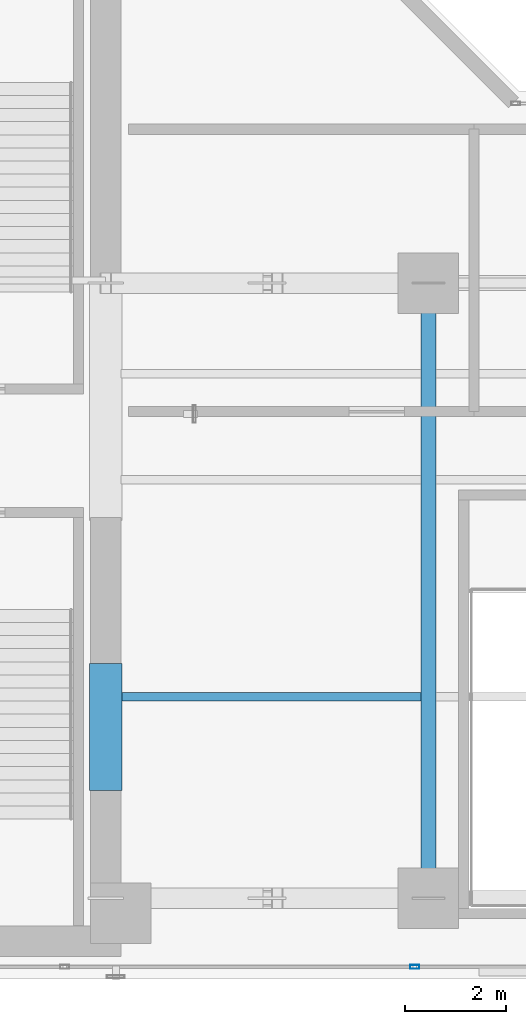
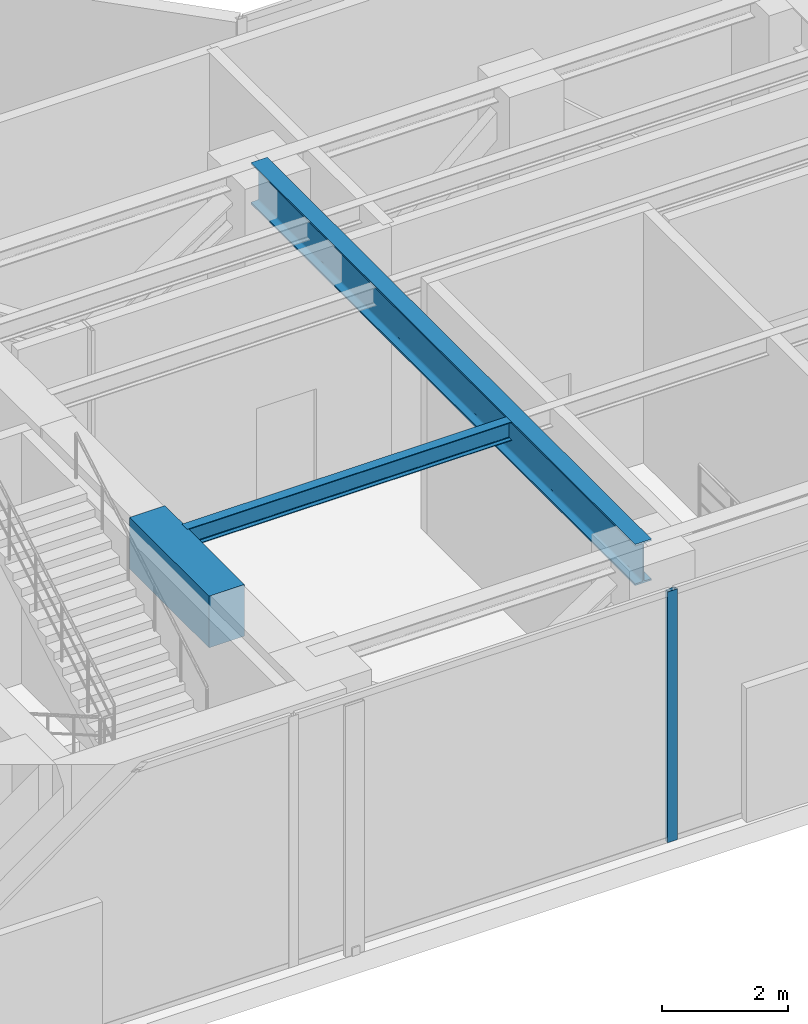
# One storey, part 6 of 36: 3 beams, 1 member, 1 element without a shape of its own.
"""IFC4 building model written with IfcOpenShell, lengths in metres."""

from ifc_helpers import new_model, si_unit, direction, frame, origin, origin_with_axes, origin_2d, place, context, subcontext, project, spatial, rectangle, hollow_rectangle, i_section, extrude, source, transform, mapped, material, layer, layer_set, material_profile, profile_set, type_object, element, aggregate, save


model = new_model("IFC4")

# Units and contexts
model_context = context("Model", 3, precision=1e-05, world=origin(), true_north=direction((0.0, 1.0)))
body_context = subcontext(model_context, "Body", "Model", "MODEL_VIEW")
ifc_project = project(units=[si_unit("LENGTHUNIT", "METRE"), si_unit("AREAUNIT", "SQUARE_METRE"), si_unit("VOLUMEUNIT", "CUBIC_METRE"), si_unit("PLANEANGLEUNIT", "RADIAN"), si_unit("MASSUNIT", "GRAM", prefix="KILO")], contexts=[model_context])

# Site, building, storey
site_placement = place(None, origin())
site = spatial("IfcSite", under=ifc_project, at=site_placement, CompositionType="ELEMENT")
building_placement = place(site_placement, origin())
building = spatial("IfcBuilding", under=site, at=building_placement, Name="Kolvaren Waterfront Exchange", CompositionType="ELEMENT")
storey_placement = place(building_placement, frame((0.0, 0.0, 199.39990234375)))
storey = spatial("IfcBuildingStorey", under=building, at=storey_placement, Name="L51", CompositionType="ELEMENT", Elevation=199.39990234375)

# Beams
ifc_material_1 = material(Name="Steel S355", Category="steel")
ifc_material_profile_1 = material_profile(ifc_material_1, i_section(OverallWidth=0.300048828125, OverallDepth=0.800048828125, WebThickness=0.017578125, FlangeThickness=0.032958984375, FilletRadius=0.030029296875, at=origin_2d()), Name="HEB800")
ifc_profile_set_1 = profile_set([ifc_material_profile_1], Name="Steel S355")
beam_type_1 = type_object("IfcBeamType", Name="STR-BM-HEB800", PredefinedType="BEAM", material=ifc_profile_set_1)
beam_1_placement = place(storey_placement, frame((27.199951171875, 5.199951171875, 4.460205078125), z_axis=(0.0, 1.0, 0.0), x_axis=(-1.0, 0.0, 0.0)))
element("IfcBeam", 1, at=beam_1_placement, inside=storey, type_object=beam_type_1, Name="L51 east-arm transverse girder X27", PredefinedType="BEAM", context=body_context, shape_type="SweptSolid", body=[
    extrude(i_section(OverallWidth=0.300048828125, OverallDepth=0.800048828125, WebThickness=0.017578125, FlangeThickness=0.032958984375, FilletRadius=0.030029296875, at=origin_2d()), origin(), (0.0, 0.0, 1.0), 12.199951171875),
])
ifc_material_profile_2 = material_profile(ifc_material_1, i_section(OverallWidth=0.169921875, OverallDepth=0.360107421875, WebThickness=0.008056640625, FlangeThickness=0.0126953125, FilletRadius=0.01806640625, at=origin_2d()), Name="IPE360")
ifc_profile_set_2 = profile_set([ifc_material_profile_2], Name="Steel S355")
beam_type_2 = type_object("IfcBeamType", Name="STR-BM-IPE360", PredefinedType="JOIST", material=ifc_profile_set_2)
beam_2_placement = place(storey_placement, frame((21.10009765625, 9.199951171875, 4.68017578125), z_axis=(1.0, 0.0, 0.0), x_axis=(0.0, 1.0, 0.0)))
element("IfcBeam", 2, at=beam_2_placement, inside=storey, type_object=beam_type_2, Name="L51 east-arm composite joist 1B", PredefinedType="JOIST", context=body_context, shape_type="SweptSolid", body=[
    extrude(i_section(OverallWidth=0.169921875, OverallDepth=0.360107421875, WebThickness=0.008056640625, FlangeThickness=0.0126953125, FilletRadius=0.01806640625, at=origin_2d()), origin(), (0.0, 0.0, 1.0), 5.947998046875),
])
ifc_material_2 = material(Name="Concrete C60/75", Category="concrete")
ifc_material_profile_3 = material_profile(ifc_material_2, rectangle(XDim=0.64990234375, YDim=1.0, at=origin_2d()), Name="RC-CB-1000x650")
ifc_profile_set_3 = profile_set([ifc_material_profile_3], Name="Concrete C60/75")
beam_type_3 = type_object("IfcBeamType", Name="STR-CB-1000", PredefinedType="SPANDREL", material=ifc_profile_set_3)
beam_3_placement = place(storey_placement, frame((20.800048828125, 7.340087890625, 4.360107421875), z_axis=(0.0, 1.0, 0.0), x_axis=(-1.0, 0.0, 0.0)))
element("IfcBeam", 3, at=beam_3_placement, inside=storey, type_object=beam_type_3, Name="L51 core coupling beam 1", PredefinedType="SPANDREL", context=body_context, shape_type="SweptSolid", body=[
    extrude(rectangle(XDim=0.64990234375, YDim=1.0, at=origin_2d()), origin(), (0.0, 0.0, 1.0), 2.52001953125),
])

# Curtain wall, member
ifc_material_3 = material(Name="Anodised dark bronze spandrel aluminium", Category="aluminium")
ifc_layer = layer(ifc_material_3, 0.219970703125, Name="Anodised dark bronze spandrel aluminium")
ifc_layer_set = layer_set([ifc_layer], Name="Anodised dark bronze spandrel aluminium")
curtain_wall_type = type_object("IfcCurtainWallType", Name="ARC-CW-SYS6", PredefinedType="USERDEFINED", material=ifc_layer_set)
curtain_wall_placement = place(storey_placement, origin())
curtain_wall = element("IfcCurtainWall", 4, at=curtain_wall_placement, inside=storey, type_object=curtain_wall_type, Name="L51 stick curtain wall CW6 (CW-L51-S)", ObjectType="STICK CURTAIN WALL", PredefinedType="USERDEFINED")
ifc_material_4 = material(Name="Anodised bronze aluminium 6063-T6", Category="aluminium")
ifc_material_profile_4 = material_profile(ifc_material_4, hollow_rectangle(XDim=0.074951171875, YDim=0.179931640625, WallThickness=0.00439453125, at=origin_2d()), Name="ALU-MUL-180x75x4.5")
ifc_profile_set_4 = profile_set([ifc_material_profile_4], Name="Anodised bronze aluminium 6063-T6")
member_type = type_object("IfcMemberType", Name="ARC-CWM-180", PredefinedType="MULLION", material=ifc_profile_set_4)
shared_shape = source(origin_with_axes(), body_context, "Body", "SweptSolid", [
    extrude(hollow_rectangle(XDim=0.074951171875, YDim=0.179931640625, WallThickness=0.00439453125, at=origin_2d()), origin(), (0.0, 0.0, 1.0), 4.860107421875),
])
member_placement = place(storey_placement, frame((26.928466796875, 3.840087890625, 0.0), z_axis=(0.0, 0.0, 1.0), x_axis=(0.0, 1.0, 0.0)))
member = element("IfcMember", 5, at=member_placement, type_object=member_type, Name="CW6 mullion 4", PredefinedType="MULLION", context=body_context, shape_type="MappedRepresentation", body=[
    mapped(shared_shape, transform((0.0, 0.0, 0.0), x_axis=(1.0, 0.0, 0.0), y_axis=(0.0, 1.0, 0.0), z_axis=(0.0, 0.0, 1.0), scale=1.0)),
])
aggregate(curtain_wall, [member])

save(model, "model.ifc")
